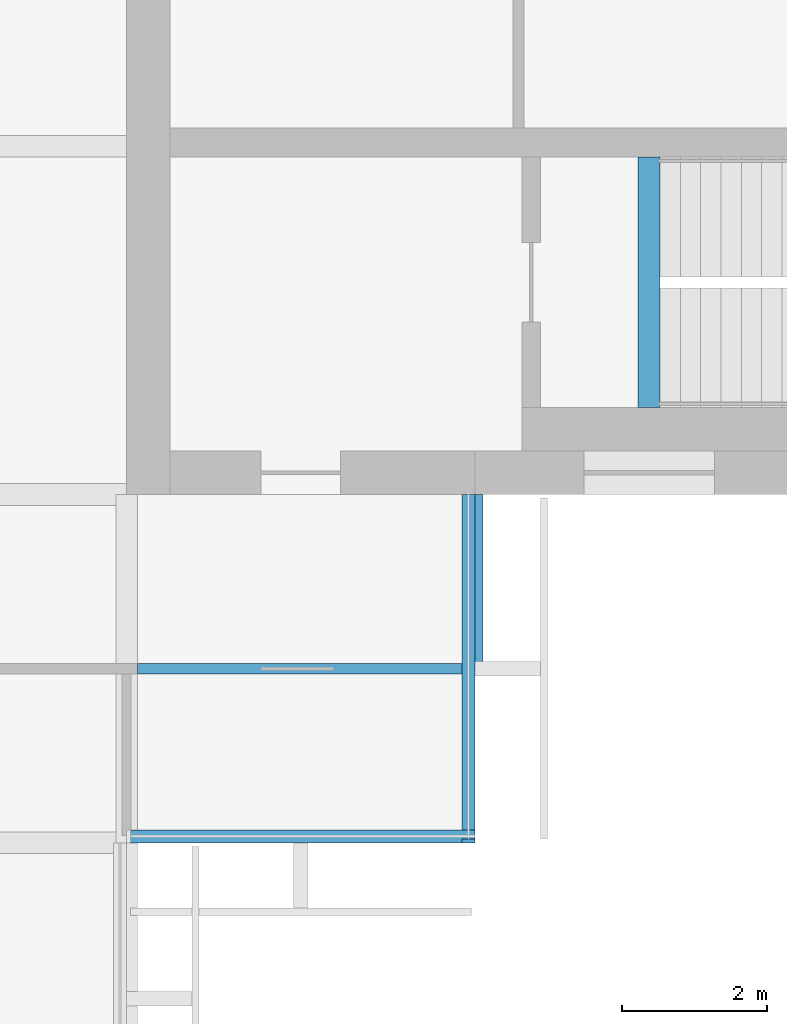
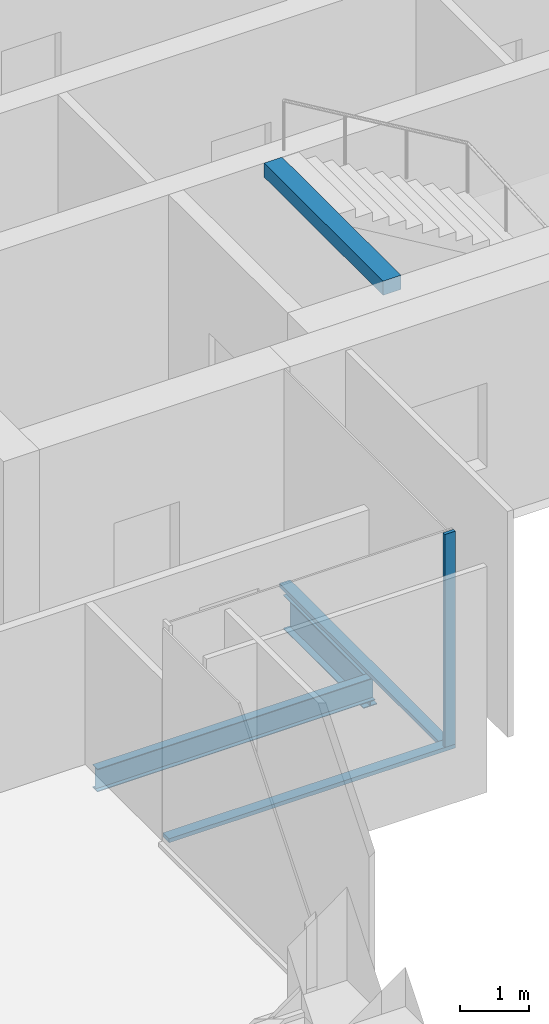
# One storey, part 4 of 12: 3 beams, 3 members, 2 elements without a shape of their own.
"""IFC4 building model written with IfcOpenShell, lengths in metres."""

from ifc_helpers import new_model, si_unit, direction, frame, origin, origin_2d, place, context, subcontext, project, spatial, rectangle, i_section, extrude, material, material_profile, profile_set, type_object, element, aggregate, save


model = new_model("IFC4")

# Units and contexts
model_context = context("Model", 3, precision=1e-05, world=origin(), true_north=direction((0.0, 1.0)))
body_context = subcontext(model_context, "Body", "Model", "MODEL_VIEW")
ifc_project = project(units=[si_unit("LENGTHUNIT", "METRE"), si_unit("AREAUNIT", "SQUARE_METRE"), si_unit("VOLUMEUNIT", "CUBIC_METRE"), si_unit("PLANEANGLEUNIT", "RADIAN"), si_unit("MASSUNIT", "GRAM", prefix="KILO")], contexts=[model_context])

# Site, building, storey
site_placement = place(None, origin())
site = spatial("IfcSite", under=ifc_project, at=site_placement, CompositionType="ELEMENT")
building_placement = place(site_placement, origin())
building = spatial("IfcBuilding", under=site, at=building_placement, Name="Baori Bourse Tower", CompositionType="ELEMENT")
storey_placement = place(building_placement, frame((0.0, 0.0, 286.300048828125)))
storey = spatial("IfcBuildingStorey", under=building, at=storey_placement, Name="L62", CompositionType="ELEMENT", Elevation=286.300048828125)

# Curtain wall, member
ifc_material_1 = material(Name="Pale anodised aluminium", Category="aluminium")
curtain_wall_type = type_object("IfcCurtainWallType", Name="CW2 Curtain wall", PredefinedType="NOTDEFINED", material=ifc_material_1)
curtain_wall_1_placement = place(storey_placement, origin())
curtain_wall_1 = element("IfcCurtainWall", 1, at=curtain_wall_1_placement, inside=storey, type_object=curtain_wall_type, Name="Curtain wall CW2 L62 14", PredefinedType="NOTDEFINED")
ifc_material_2 = material(Name="Pale anodised aluminium", Category="aluminium")
ifc_material_profile_1 = material_profile(ifc_material_2, rectangle(XDim=0.179931640625, YDim=0.054931640625, at=origin_2d()), Name="Mullion 55x180")
ifc_profile_set_1 = profile_set([ifc_material_profile_1], Name="Pale anodised aluminium")
member_type_1 = type_object("IfcMemberType", Name="CW2 Curtain wall mullion", PredefinedType="MULLION", material=ifc_profile_set_1)
member_1_placement = place(storey_placement, frame((43.110107421875, 4.827392578125, 0.070068359375), z_axis=(0.0, 0.0, 1.0), x_axis=(-1.0, 0.0, 0.0)))
member_1 = element("IfcMember", 2, at=member_1_placement, type_object=member_type_1, Name="Curtain wall CW2 mullion", PredefinedType="MULLION", context=body_context, shape_type="SweptSolid", body=[
    extrude(rectangle(XDim=0.179931640625, YDim=0.054931640625, at=origin_2d()), origin(), (0.0, 0.0, 1.0), 3.769775390625),
])

curtain_wall_2_placement = place(storey_placement, origin())
curtain_wall_2 = element("IfcCurtainWall", 3, at=curtain_wall_2_placement, inside=storey, type_object=curtain_wall_type, Name="Curtain wall CW2 L62 13", PredefinedType="NOTDEFINED")
ifc_material_3 = material(Name="Pale anodised aluminium", Category="aluminium")
ifc_material_profile_2 = material_profile(ifc_material_3, rectangle(XDim=0.179931640625, YDim=0.070068359375, at=origin_2d()), Name="Transom 70x180")
ifc_profile_set_2 = profile_set([ifc_material_profile_2], Name="Pale anodised aluminium")
member_type_2 = type_object("IfcMemberType", Name="CW2 Curtain wall transom", PredefinedType="USERDEFINED", material=ifc_profile_set_2)
member_2_placement = place(storey_placement, frame((38.39990234375, 4.889892578125, 0.034912109375), z_axis=(1.0, 0.0, 0.0), x_axis=(0.0, 1.0, 0.0)))
member_2 = element("IfcMember", 4, at=member_2_placement, type_object=member_type_2, Name="Curtain wall CW2 sill rail", ObjectType="TRANSOM", PredefinedType="USERDEFINED", context=body_context, shape_type="SweptSolid", body=[
    extrude(rectangle(XDim=0.179931640625, YDim=0.070068359375, at=origin_2d()), origin(), (0.0, 0.0, 1.0), 4.800048828125),
])
aggregate(curtain_wall_2, [member_2])

# Member
member_3_placement = place(storey_placement, frame((43.110107421875, 4.800048828125, 0.034912109375), z_axis=(0.0, 1.0, 0.0), x_axis=(-1.0, 0.0, 0.0)))
member_3 = element("IfcMember", 5, at=member_3_placement, type_object=member_type_2, Name="Curtain wall CW2 sill rail", ObjectType="TRANSOM", PredefinedType="USERDEFINED", context=body_context, shape_type="SweptSolid", body=[
    extrude(rectangle(XDim=0.179931640625, YDim=0.070068359375, at=origin_2d()), origin(), (0.0, 0.0, 1.0), 4.800048828125),
])

aggregate(curtain_wall_1, [member_3, member_1])

# Beams
ifc_material_4 = material(Name="Steel A992 Gr 50", Category="steel")
ifc_material_profile_3 = material_profile(ifc_material_4, i_section(OverallWidth=0.227783203125, OverallDepth=0.60205078125, WebThickness=0.010498046875, FlangeThickness=0.014892578125, at=origin_2d()), Name="W24x68")
ifc_profile_set_3 = profile_set([ifc_material_profile_3], Name="Steel A992 Gr 50")
beam_type_1 = type_object("IfcBeamType", Name="Core bracket W24x68", PredefinedType="BEAM", material=ifc_profile_set_3)
beam_1_placement = place(storey_placement, frame((43.199951171875, 7.270263671875, -0.4609375), z_axis=(0.0, 1.0, 0.0), x_axis=(-1.0, 0.0, 0.0)))
element("IfcBeam", 6, at=beam_1_placement, inside=storey, type_object=beam_type_1, Name="Core bracket L62", PredefinedType="BEAM", context=body_context, shape_type="SweptSolid", body=[
    extrude(i_section(OverallWidth=0.227783203125, OverallDepth=0.60205078125, WebThickness=0.010498046875, FlangeThickness=0.014892578125, at=origin_2d()), origin(), (0.0, 0.0, 1.0), 2.329833984375),
])
ifc_material_5 = material(Name="Concrete f'c 50 MPa", Category="concrete")
ifc_material_profile_4 = material_profile(ifc_material_5, rectangle(XDim=0.300048828125, YDim=0.25, at=origin_2d()), Name="RC 300x250")
ifc_profile_set_4 = profile_set([ifc_material_profile_4], Name="Concrete f'c 50 MPa")
beam_type_2 = type_object("IfcBeamType", Name="Stair nib beam RC 300x250", PredefinedType="BEAM", material=ifc_profile_set_4)
beam_2_placement = place(storey_placement, frame((45.60009765625, 10.800048828125, 3.71484375), z_axis=(0.0, 1.0, 0.0), x_axis=(-1.0, 0.0, 0.0)))
element("IfcBeam", 7, at=beam_2_placement, inside=storey, type_object=beam_type_2, Name="Stair EA nib beam L63", PredefinedType="BEAM", context=body_context, shape_type="SweptSolid", body=[
    extrude(rectangle(XDim=0.300048828125, YDim=0.25, at=origin_2d()), origin(), (0.0, 0.0, 1.0), 3.449951171875),
])
ifc_material_6 = material(Name="Steel A992 Gr 50", Category="steel")
ifc_material_profile_5 = material_profile(ifc_material_6, i_section(OverallWidth=0.140380859375, OverallDepth=0.40380859375, WebThickness=0.007080078125, FlangeThickness=0.01123046875, at=origin_2d()), Name="W16x31")
ifc_profile_set_5 = profile_set([ifc_material_profile_5], Name="Steel A992 Gr 50")
beam_type_3 = type_object("IfcBeamType", Name="Trimmer beam W16x31", PredefinedType="BEAM", material=ifc_profile_set_5)
beam_3_placement = place(storey_placement, frame((38.546142578125, 7.199951171875, -0.362060546875), z_axis=(1.0, 0.0, 0.0), x_axis=(0.0, 1.0, 0.0)))
element("IfcBeam", 8, at=beam_3_placement, inside=storey, type_object=beam_type_3, Name="Trimmer beam L62", PredefinedType="BEAM", context=body_context, shape_type="SweptSolid", body=[
    extrude(i_section(OverallWidth=0.140380859375, OverallDepth=0.40380859375, WebThickness=0.007080078125, FlangeThickness=0.01123046875, at=origin_2d()), origin(), (0.0, 0.0, 1.0), 4.65380859375),
])

save(model, "model.ifc")
